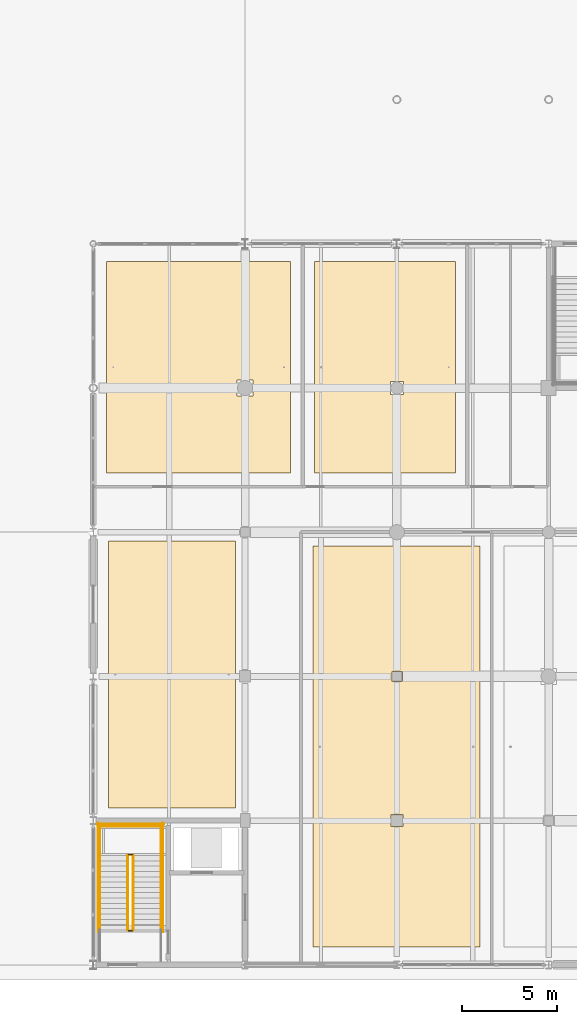
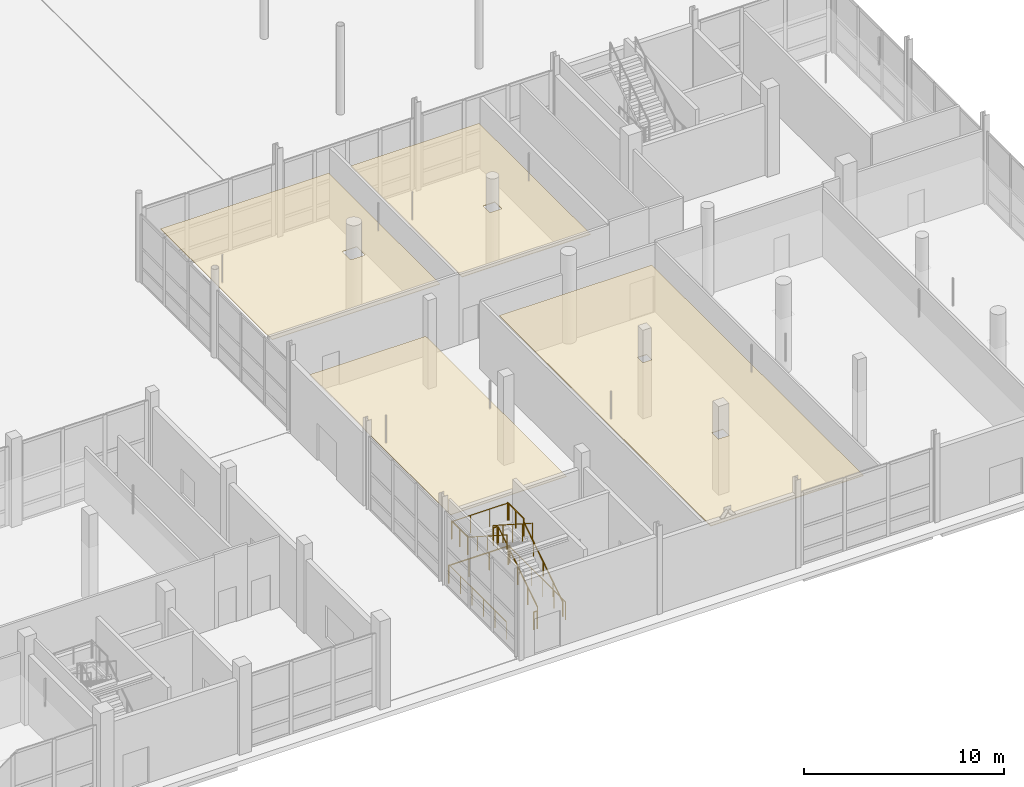
# One storey, part 121 of 126: 12 railings, 4 coverings.
"""IFC4 building model written with IfcOpenShell, lengths in metres."""

import ifcopenshell
import ifcopenshell.guid

model = None  # the IFC model being written
_history = None  # IfcOwnerHistory: only IFC2X3 demands one
_inside = {}  # id of a spatial element -> (the spatial element, [elements in it])
_under = {}  # id of a project, library or spatial element -> (it, [spatial elements below it])
_declared = {}  # id of a project -> (the project, [libraries it declares])
_typed = {}  # id of a type object -> (the type object, [elements of that type])
_made_of = {}  # id of a material, layer set ... -> (it, [elements and type objects made of it])


def new_model(schema):
    """Start an empty IFC model of exactly this schema.

    Asked for "IFC4X3", IfcOpenShell would pick the latest addendum, in which some entities
    have other attributes; the version numbers below select the first issue.
    IFC2X3 requires an IfcOwnerHistory on every rooted entity: one is made here for all.
    """
    global model, _history
    if schema == "IFC4X3":
        model = ifcopenshell.file(schema_version=(4, 3, 0, 0))
    else:
        model = ifcopenshell.file(schema=schema)
    _inside.clear()
    _under.clear()
    _declared.clear()
    _typed.clear()
    _made_of.clear()
    _history = None
    if model.schema == "IFC2X3":
        org = make("IfcOrganization", Name="unknown")
        user = make(
            "IfcPersonAndOrganization",
            ThePerson=make("IfcPerson", FamilyName="unknown"),
            TheOrganization=org,
        )
        app = make(
            "IfcApplication",
            ApplicationDeveloper=org,
            Version="unknown",
            ApplicationFullName="unknown",
            ApplicationIdentifier="unknown",
        )
        _history = make(
            "IfcOwnerHistory",
            OwningUser=user,
            OwningApplication=app,
            ChangeAction="ADDED",
            CreationDate=0,
        )
    return model


def make(cls, **values):
    """One entity of the class cls with the attributes given. An attribute that is None is left unset."""
    return model.create_entity(
        cls, **{name: value for name, value in values.items() if value is not None}
    )


def rooted(cls, **values):
    """An entity with a GlobalId (a new one), such as an element, a storey or a relation."""
    return make(cls, GlobalId=ifcopenshell.guid.new(), OwnerHistory=_history, **values)


def si_unit(unit_type, name, prefix=None):
    """IfcSIUnit, for example si_unit("LENGTHUNIT", "METRE", prefix="MILLI")."""
    return make("IfcSIUnit", UnitType=unit_type, Prefix=prefix, Name=name)


def assignment(units):
    """IfcUnitAssignment: the units of a project."""
    return None if units is None else make("IfcUnitAssignment", Units=units)


def point(xyz):
    """IfcCartesianPoint."""
    return None if xyz is None else make("IfcCartesianPoint", Coordinates=xyz)


def direction(xyz):
    """IfcDirection."""
    return None if xyz is None else make("IfcDirection", DirectionRatios=xyz)


def frame(location, z_axis=None, x_axis=None):
    """IfcAxis2Placement3D, a coordinate frame: its origin and axes. An axis left out is left unset."""
    return make(
        "IfcAxis2Placement3D",
        Location=point(location),
        Axis=direction(z_axis),
        RefDirection=direction(x_axis),
    )


def frame_2d(location, x_axis=None):
    """IfcAxis2Placement2D, a coordinate frame in the plane: its origin and x axis."""
    return make(
        "IfcAxis2Placement2D", Location=point(location), RefDirection=direction(x_axis)
    )


def origin():
    """The frame at (0, 0, 0) with its axes left unset."""
    return frame((0.0, 0.0, 0.0))


def origin_2d():
    """The frame at (0, 0) in the plane with its x axis left unset."""
    return frame_2d((0.0, 0.0))


def place(relative_to, where):
    """IfcLocalPlacement: puts the frame where relative to a parent placement (None: the world)."""
    return make(
        "IfcLocalPlacement", PlacementRelTo=relative_to, RelativePlacement=where
    )


def context(
    kind, dimensions, precision=None, world=None, true_north=None, identifier=None
):
    """IfcGeometricRepresentationContext, for example the 3D "Model" context."""
    return make(
        "IfcGeometricRepresentationContext",
        ContextIdentifier=identifier,
        ContextType=kind,
        CoordinateSpaceDimension=dimensions,
        Precision=precision,
        WorldCoordinateSystem=world,
        TrueNorth=true_north,
    )


def subcontext(parent, identifier, kind, view, scale=None):
    """IfcGeometricRepresentationSubContext, for example "Body" below "Model"."""
    return make(
        "IfcGeometricRepresentationSubContext",
        ContextIdentifier=identifier,
        ContextType=kind,
        ParentContext=parent,
        TargetScale=scale,
        TargetView=view,
    )


def project(units=None, contexts=None):
    """IfcProject with its units and contexts."""
    return rooted(
        "IfcProject",
        Name="project",
        RepresentationContexts=contexts,
        UnitsInContext=assignment(units),
    )


def spatial(cls, under=None, at=None, **own):
    """A site, building, storey or space (cls), placed at a placement, below another one or the project."""
    s = rooted(cls, ObjectPlacement=at, **own)
    if under is not None:
        _under.setdefault(under.id(), (under, []))[1].append(s)
    return s


def polyline(points):
    """IfcPolyline through the points."""
    return make("IfcPolyline", Points=[point(p) for p in points])


def profile(cls, at=None, kind="AREA", **sizes):
    """A parametric profile (cls). Its sizes go by their IFC names, for example OverallWidth=200.0."""
    return make(cls, ProfileType=kind, Position=at, **sizes)


def circle(**sizes):
    """IfcCircleProfileDef."""
    return profile("IfcCircleProfileDef", **sizes)


def outline(outer, holes=None, kind="AREA"):
    """IfcArbitraryClosedProfileDef: a profile drawn as a closed curve; with holes, ...WithVoids."""
    if holes is None:
        return make("IfcArbitraryClosedProfileDef", ProfileType=kind, OuterCurve=outer)
    return make(
        "IfcArbitraryProfileDefWithVoids",
        ProfileType=kind,
        OuterCurve=outer,
        InnerCurves=holes,
    )


def extrude(swept, where, along, depth):
    """IfcExtrudedAreaSolid: the profile swept, set in the frame where, extruded along a direction by depth."""
    return make(
        "IfcExtrudedAreaSolid",
        SweptArea=swept,
        Position=where,
        ExtrudedDirection=direction(along),
        Depth=depth,
    )


def shape(context_of_items, identifier, shape_type, items):
    """IfcShapeRepresentation: the items that make up one representation, for example the "Body"."""
    return make(
        "IfcShapeRepresentation",
        ContextOfItems=context_of_items,
        RepresentationIdentifier=identifier,
        RepresentationType=shape_type,
        Items=items,
    )


def material(Name=None, Category=None):
    """IfcMaterial."""
    return make("IfcMaterial", Name=Name, Category=Category)


def layer(
    of_material, thickness, ventilated=None, Name=None, Category=None, Priority=None
):
    """IfcMaterialLayer: one layer of a wall or slab, of a material (None: an air gap)."""
    return make(
        "IfcMaterialLayer",
        Material=of_material,
        LayerThickness=thickness,
        IsVentilated=ventilated,
        Name=Name,
        Category=Category,
        Priority=Priority,
    )


def layer_set(layers, Name=None):
    """IfcMaterialLayerSet."""
    return make("IfcMaterialLayerSet", MaterialLayers=layers, LayerSetName=Name)


def made_of(thing, what):
    """Note that an element or type object is made of a material, layer set ...; save() writes the relation."""
    if what is not None:
        _made_of.setdefault(what.id(), (what, []))[1].append(thing)
    return thing


def type_object(cls, material=None, **own):
    """A type object (cls), such as IfcWallType, which elements share."""
    return made_of(rooted(cls, **own), material)


def element(
    cls,
    number,
    at=None,
    inside=None,
    cuts=None,
    type_object=None,
    material=None,
    context=None,
    identifier="Body",
    shape_type=None,
    held_by="IfcProductDefinitionShape",
    body=None,
    shapes=None,
    **own,
):
    """One element of the class cls, such as IfcWall. Its Tag is "e" and its number.

    at: its placement. inside: the storey or other place that contains it. cuts: it is an
    opening in that element (IfcRelVoidsElement). A single representation is given by context,
    identifier, shape_type and body (its items); several are given by shapes. held_by: the class
    of the entity that holds the representations. save() writes the other relations.
    """
    e = rooted(cls, Tag="e%d" % number, ObjectPlacement=at, **own)
    if body is not None:
        shapes = [shape(context, identifier, shape_type, body)]
    if shapes is not None:
        e.Representation = make(held_by, Representations=shapes)
    if inside is not None:
        _inside.setdefault(inside.id(), (inside, []))[1].append(e)
    if cuts is not None:
        rooted(
            "IfcRelVoidsElement", RelatingBuildingElement=cuts, RelatedOpeningElement=e
        )
    if type_object is not None:
        _typed.setdefault(type_object.id(), (type_object, []))[1].append(e)
    return made_of(e, material)


def aggregate(whole, parts):
    """IfcRelAggregates: a whole, such as a stair, and the parts it consists of."""
    return rooted("IfcRelAggregates", RelatingObject=whole, RelatedObjects=parts)


def save(model, path):
    """Write the relations noted so far, then the file.

    IfcRelAggregates (storeys below a building ...), IfcRelContainedInSpatialStructure (elements
    in a storey), IfcRelDefinesByType, IfcRelAssociatesMaterial and IfcRelDeclares: one each for
    every whole, place, type object, material and project.
    """
    for whole, parts in _under.values():
        aggregate(whole, parts)
    for where, things in _inside.values():
        rooted(
            "IfcRelContainedInSpatialStructure",
            RelatedElements=things,
            RelatingStructure=where,
        )
    for kind, things in _typed.values():
        rooted("IfcRelDefinesByType", RelatedObjects=things, RelatingType=kind)
    for what, things in _made_of.values():
        rooted("IfcRelAssociatesMaterial", RelatedObjects=things, RelatingMaterial=what)
    for by, libraries in _declared.values():
        rooted("IfcRelDeclares", RelatingContext=by, RelatedDefinitions=libraries)
    model.write(path)


model = new_model("IFC4")

# Units and contexts
model_context = context("Model", 3, precision=1e-05, world=origin(), true_north=direction((0.0, 1.0)))
body_context = subcontext(model_context, "Body", "Model", "MODEL_VIEW")
ifc_project = project(units=[si_unit("LENGTHUNIT", "METRE"), si_unit("AREAUNIT", "SQUARE_METRE"), si_unit("VOLUMEUNIT", "CUBIC_METRE"), si_unit("PLANEANGLEUNIT", "RADIAN"), si_unit("MASSUNIT", "GRAM", prefix="KILO")], contexts=[model_context])

# Site, building, storey
site_placement = place(None, origin())
site = spatial("IfcSite", under=ifc_project, at=site_placement, CompositionType="ELEMENT")
building_placement = place(site_placement, origin())
building = spatial("IfcBuilding", under=site, at=building_placement, Name="Khelvaren Railside Concert Hall", CompositionType="ELEMENT")
storey_placement = place(building_placement, origin())
storey = spatial("IfcBuildingStorey", under=building, at=storey_placement, Name="L00", CompositionType="ELEMENT", Elevation=0.0)

# Coverings
ifc_material_1 = material(Name="Mineral-wool acoustic baffle ceiling", Category="gypsum")
ifc_layer_1 = layer(ifc_material_1, 0.0400390625)
ifc_layer_set_1 = layer_set([ifc_layer_1], Name="Mineral-wool acoustic baffle ceiling")
covering_type_1 = type_object("IfcCoveringType", Name="CLG20", PredefinedType="CEILING", material=ifc_layer_set_1)
covering_1_placement = place(storey_placement, frame((0.0, 0.0, 3.409912109375)))
element("IfcCovering", 1, at=covering_1_placement, inside=storey, type_object=covering_type_1, Name="Suspended Acoustic Ceiling Percussion Rehearsal Studio", PredefinedType="CEILING", context=body_context, shape_type="SweptSolid", body=[
    extrude(outline(polyline([(155.580078125, 0.929931640625), (164.37890625, 0.929931640625), (164.37890625, 22.070068359375), (155.580078125, 22.070068359375), (155.580078125, 0.929931640625)]), holes=[polyline([(159.68505859375, 7.284912109375), (160.31494140625, 7.284912109375), (160.31494140625, 7.9150390625), (159.68505859375, 7.9150390625), (159.68505859375, 7.284912109375)]), polyline([(159.735107421875, 14.93505859375), (160.264892578125, 14.93505859375), (160.264892578125, 15.465087890625), (159.735107421875, 15.465087890625), (159.735107421875, 14.93505859375)])]), origin(), (0.0, 0.0, 1.0), 0.0400390625),
])
covering_2_placement = place(storey_placement, frame((0.0, 0.0, 3.409912109375)))
element("IfcCovering", 2, at=covering_2_placement, inside=storey, type_object=covering_type_1, Name="Suspended Acoustic Ceiling Acoustic Editing Room L00", PredefinedType="CEILING", context=body_context, shape_type="SweptSolid", body=[
    extrude(outline(polyline([(155.6630859375, 25.929931640625), (163.0830078125, 25.929931640625), (163.0830078125, 37.070068359375), (155.6630859375, 37.070068359375), (155.6630859375, 25.929931640625)]), holes=[polyline([(159.659912109375, 30.06005859375), (160.340087890625, 30.06005859375), (160.340087890625, 30.739990234375), (159.659912109375, 30.739990234375), (159.659912109375, 30.06005859375)])]), origin(), (0.0, 0.0, 1.0), 0.0400390625),
])
ifc_material_2 = material(Name="Micro-perforated timber acoustic ceiling", Category="wood")
ifc_layer_2 = layer(ifc_material_2, 0.030029296875)
ifc_layer_set_2 = layer_set([ifc_layer_2], Name="Micro-perforated timber acoustic ceiling")
covering_type_2 = type_object("IfcCoveringType", Name="CLG77", PredefinedType="CEILING", material=ifc_layer_set_2)
covering_3_placement = place(storey_placement, frame((0.0, 0.0, 3.419921875)))
element("IfcCovering", 3, at=covering_3_placement, inside=storey, type_object=covering_type_2, Name="Suspended Acoustic Ceiling V2 L00 West Bridge Foyer", PredefinedType="CEILING", context=body_context, shape_type="SweptSolid", body=[
    extrude(outline(polyline([(144.800048828125, 8.27001953125), (151.5, 8.27001953125), (151.5, 22.35009765625), (144.800048828125, 22.35009765625), (144.800048828125, 8.27001953125)])), origin(), (0.0, 0.0, 1.0), 0.030029296875),
])
covering_4_placement = place(storey_placement, frame((0.0, 0.0, 3.419921875)))
element("IfcCovering", 4, at=covering_4_placement, inside=storey, type_object=covering_type_2, Name="Suspended Acoustic Ceiling Chamber Recording Studio L00", PredefinedType="CEILING", context=body_context, shape_type="SweptSolid", body=[
    extrude(outline(polyline([(144.7099609375, 25.929931640625), (154.403076171875, 25.929931640625), (154.403076171875, 37.070068359375), (144.7099609375, 37.070068359375), (144.7099609375, 25.929931640625)]), holes=[polyline([(151.5849609375, 29.985107421875), (152.4150390625, 29.985107421875), (152.4150390625, 30.81494140625), (151.5849609375, 30.81494140625), (151.5849609375, 29.985107421875)])]), origin(), (0.0, 0.0, 1.0), 0.030029296875),
])

# Railings
ifc_material_3 = material(Name="Painted architectural steel", Category="steel")
railing_type_1 = type_object("IfcRailingType", Name="GRD86", PredefinedType="GUARDRAIL", material=ifc_material_3)
railing_1_placement = place(storey_placement, frame((146.110107421875, 1.840087890625, 0.179931640625)))
element("IfcRailing", 5, at=railing_1_placement, inside=storey, type_object=railing_type_1, Name="L00 ST-03 stair guard 1", PredefinedType="GUARDRAIL", context=body_context, shape_type="SweptSolid", body=[
    extrude(circle(Radius=0.02392578125, at=origin_2d()), frame((0.0, 0.0, 1.076171875), z_axis=(0.0, 0.841171666519, 0.540768182723), x_axis=(-1.0, 0.0, 0.0)), (0.0, 0.0, 1.0), 4.66015625),
    extrude(circle(Radius=0.02099609375, at=origin_2d()), origin(), (0.0, 0.0, 1.0), 1.052001953125),
    extrude(circle(Radius=0.02099609375, at=origin_2d()), frame((0.0, 0.97998046875, 0.6298828125)), (0.0, 0.0, 1.0), 1.052001953125),
    extrude(circle(Radius=0.02099609375, at=origin_2d()), frame((0.0, 1.9599609375, 1.260009765625)), (0.0, 0.0, 1.0), 1.052001953125),
    extrude(circle(Radius=0.02099609375, at=origin_2d()), frame((0.0, 2.93994140625, 1.89013671875)), (0.0, 0.0, 1.0), 1.052001953125),
    extrude(circle(Radius=0.02099609375, at=origin_2d()), frame((0.0, 3.919921875, 2.52001953125)), (0.0, 0.0, 1.0), 1.052001953125),
])
railing_2_placement = place(storey_placement, frame((146.06005859375, 5.81005859375, 2.699951171875)))
element("IfcRailing", 6, at=railing_2_placement, inside=storey, type_object=railing_type_1, Name="L00 ST-03 stair guard 2", PredefinedType="GUARDRAIL", context=body_context, shape_type="SweptSolid", body=[
    extrude(circle(Radius=0.02392578125, at=origin_2d()), frame((0.0, 0.0, 1.076171875), z_axis=(-1.0, 0.0, 0.0), x_axis=(0.0, -1.0, 0.0)), (0.0, 0.0, 1.0), 0.199951171875),
    extrude(circle(Radius=0.02099609375, at=origin_2d()), origin(), (0.0, 0.0, 1.0), 1.052001953125),
    extrude(circle(Radius=0.02099609375, at=origin_2d()), frame((-0.199951171875, 0.0, 0.0)), (0.0, 0.0, 1.0), 1.052001953125),
])
for number, where, name in (
    (7, (147.570068359375, 5.760009765625, 2.699951171875), "L00 ST-03 stair guard 3"),
    (8, (144.35009765625, 5.760009765625, 2.699951171875), "L00 ST-03 stair guard 4"),
):
    element("IfcRailing", number, at=place(storey_placement, frame(where)), inside=storey, type_object=railing_type_1, Name=name, PredefinedType="GUARDRAIL", context=body_context, shape_type="SweptSolid", body=[
        extrude(circle(Radius=0.02392578125, at=origin_2d()), frame((0.0, 0.0, 1.076171875), z_axis=(0.0, 1.0, 0.0), x_axis=(-1.0, 0.0, 0.0)), (0.0, 0.0, 1.0), 1.60009765625),
        extrude(circle(Radius=0.02099609375, at=origin_2d()), origin(), (0.0, 0.0, 1.0), 1.052001953125),
        extrude(circle(Radius=0.02099609375, at=origin_2d()), frame((0.0, 0.800048828125, 0.0)), (0.0, 0.0, 1.0), 1.052001953125),
        extrude(circle(Radius=0.02099609375, at=origin_2d()), frame((0.0, 1.60009765625, 0.0)), (0.0, 0.0, 1.0), 1.052001953125),
    ])
railing_3_placement = place(storey_placement, frame((147.6201171875, 7.31005859375, 2.699951171875)))
element("IfcRailing", 9, at=railing_3_placement, inside=storey, type_object=railing_type_1, Name="L00 ST-03 stair guard 5", PredefinedType="GUARDRAIL", context=body_context, shape_type="SweptSolid", body=[
    extrude(circle(Radius=0.02392578125, at=origin_2d()), frame((0.0, 0.0, 1.076171875), z_axis=(-1.0, 0.0, 0.0), x_axis=(0.0, -1.0, 0.0)), (0.0, 0.0, 1.0), 3.320068359375),
    extrude(circle(Radius=0.02099609375, at=origin_2d()), origin(), (0.0, 0.0, 1.0), 1.052001953125),
    extrude(circle(Radius=0.02099609375, at=origin_2d()), frame((-1.106689453125, 0.0, 0.0)), (0.0, 0.0, 1.0), 1.052001953125),
    extrude(circle(Radius=0.02099609375, at=origin_2d()), frame((-2.21337890625, 0.0, 0.0)), (0.0, 0.0, 1.0), 1.052001953125),
    extrude(circle(Radius=0.02099609375, at=origin_2d()), frame((-3.320068359375, 0.0, 0.0)), (0.0, 0.0, 1.0), 1.052001953125),
])
railing_4_placement = place(storey_placement, frame((145.81005859375, 5.760009765625, 2.8798828125)))
element("IfcRailing", 10, at=railing_4_placement, inside=storey, type_object=railing_type_1, Name="L00 ST-03 stair guard 6", PredefinedType="GUARDRAIL", context=body_context, shape_type="SweptSolid", body=[
    extrude(circle(Radius=0.02392578125, at=origin_2d()), frame((0.0, 0.0, 1.076171875), z_axis=(0.0, -0.841171666519, 0.540768182723), x_axis=(1.0, 0.0, 0.0)), (0.0, 0.0, 1.0), 4.66015625),
    extrude(circle(Radius=0.02099609375, at=origin_2d()), origin(), (0.0, 0.0, 1.0), 1.052001953125),
    extrude(circle(Radius=0.02099609375, at=origin_2d()), frame((0.0, -0.97998046875, 0.6298828125)), (0.0, 0.0, 1.0), 1.052001953125),
    extrude(circle(Radius=0.02099609375, at=origin_2d()), frame((0.0, -1.9599609375, 1.260009765625)), (0.0, 0.0, 1.0), 1.052001953125),
    extrude(circle(Radius=0.02099609375, at=origin_2d()), frame((0.0, -2.93994140625, 1.89013671875)), (0.0, 0.0, 1.0), 1.052001953125),
    extrude(circle(Radius=0.02099609375, at=origin_2d()), frame((0.0, -3.919921875, 2.52001953125)), (0.0, 0.0, 1.0), 1.052001953125),
])
railing_5_placement = place(storey_placement, frame((146.06005859375, 1.7900390625, 0.0)))
element("IfcRailing", 11, at=railing_5_placement, inside=storey, type_object=railing_type_1, Name="L00 ST-03 stair guard 7", PredefinedType="GUARDRAIL", context=body_context, shape_type="SweptSolid", body=[
    extrude(circle(Radius=0.02392578125, at=origin_2d()), frame((0.0, 0.0, 1.076171875), z_axis=(-1.0, 0.0, 0.0), x_axis=(0.0, -1.0, 0.0)), (0.0, 0.0, 1.0), 0.199951171875),
    extrude(circle(Radius=0.02099609375, at=origin_2d()), origin(), (0.0, 0.0, 1.0), 1.052001953125),
    extrude(circle(Radius=0.02099609375, at=origin_2d()), frame((-0.199951171875, 0.0, 0.0)), (0.0, 0.0, 1.0), 1.052001953125),
])
for number, where, name in (
    (12, (147.669921875, 1.739990234375, 0.0), "L00 ST-03 stair guard 10"),
    (13, (144.25, 1.739990234375, 0.0), "L00 ST-03 stair guard 11"),
):
    element("IfcRailing", number, at=place(storey_placement, frame(where)), inside=storey, type_object=railing_type_1, Name=name, PredefinedType="GUARDRAIL", context=body_context, shape_type="SweptSolid", body=[
        extrude(circle(Radius=0.02392578125, at=origin_2d()), frame((0.0, 0.0, 1.076171875), z_axis=(0.0, 1.0, 0.0), x_axis=(-1.0, 0.0, 0.0)), (0.0, 0.0, 1.0), 5.719970703125),
        extrude(circle(Radius=0.02099609375, at=origin_2d()), origin(), (0.0, 0.0, 1.0), 1.052001953125),
        extrude(circle(Radius=0.02099609375, at=origin_2d()), frame((0.0, 1.14404296875, 0.0)), (0.0, 0.0, 1.0), 1.052001953125),
        extrude(circle(Radius=0.02099609375, at=origin_2d()), frame((0.0, 2.2880859375, 0.0)), (0.0, 0.0, 1.0), 1.052001953125),
        extrude(circle(Radius=0.02099609375, at=origin_2d()), frame((0.0, 3.431884765625, 0.0)), (0.0, 0.0, 1.0), 1.052001953125),
        extrude(circle(Radius=0.02099609375, at=origin_2d()), frame((0.0, 4.575927734375, 0.0)), (0.0, 0.0, 1.0), 1.052001953125),
        extrude(circle(Radius=0.02099609375, at=origin_2d()), frame((0.0, 5.719970703125, 0.0)), (0.0, 0.0, 1.0), 1.052001953125),
    ])
railing_6_placement = place(storey_placement, frame((147.719970703125, 7.409912109375, 0.0)))
element("IfcRailing", 14, at=railing_6_placement, inside=storey, type_object=railing_type_1, Name="L00 ST-03 stair guard 12", PredefinedType="GUARDRAIL", context=body_context, shape_type="SweptSolid", body=[
    extrude(circle(Radius=0.02392578125, at=origin_2d()), frame((0.0, 0.0, 1.076171875), z_axis=(-1.0, 0.0, 0.0), x_axis=(0.0, -1.0, 0.0)), (0.0, 0.0, 1.0), 3.52001953125),
    extrude(circle(Radius=0.02099609375, at=origin_2d()), origin(), (0.0, 0.0, 1.0), 1.052001953125),
    extrude(circle(Radius=0.02099609375, at=origin_2d()), frame((-1.17333984375, 0.0, 0.0)), (0.0, 0.0, 1.0), 1.052001953125),
    extrude(circle(Radius=0.02099609375, at=origin_2d()), frame((-2.3466796875, 0.0, 0.0)), (0.0, 0.0, 1.0), 1.052001953125),
    extrude(circle(Radius=0.02099609375, at=origin_2d()), frame((-3.52001953125, 0.0, 0.0)), (0.0, 0.0, 1.0), 1.052001953125),
])
ifc_material_4 = material(Name="Brushed stainless steel Grade 316", Category="steel")
railing_type_2 = type_object("IfcRailingType", Name="HRL59", PredefinedType="HANDRAIL", material=ifc_material_4)
railing_7_placement = place(storey_placement, frame((147.570068359375, 1.840087890625, 0.179931640625)))
element("IfcRailing", 15, at=railing_7_placement, inside=storey, type_object=railing_type_2, Name="L00 ST-03 stair handrail 1", PredefinedType="HANDRAIL", context=body_context, shape_type="SweptSolid", body=[
    extrude(circle(Radius=0.02392578125, at=origin_2d()), frame((0.0, 0.0, 0.8759765625), z_axis=(0.0, 0.841171666519, 0.540768182723), x_axis=(-1.0, 0.0, 0.0)), (0.0, 0.0, 1.0), 4.66015625),
    extrude(circle(Radius=0.02099609375, at=origin_2d()), origin(), (0.0, 0.0, 1.0), 0.851806640625),
    extrude(circle(Radius=0.02099609375, at=origin_2d()), frame((0.0, 0.97998046875, 0.6298828125)), (0.0, 0.0, 1.0), 0.851806640625),
    extrude(circle(Radius=0.02099609375, at=origin_2d()), frame((0.0, 1.9599609375, 1.260009765625)), (0.0, 0.0, 1.0), 0.851806640625),
    extrude(circle(Radius=0.02099609375, at=origin_2d()), frame((0.0, 2.93994140625, 1.89013671875)), (0.0, 0.0, 1.0), 0.851806640625),
    extrude(circle(Radius=0.02099609375, at=origin_2d()), frame((0.0, 3.919921875, 2.52001953125)), (0.0, 0.0, 1.0), 0.851806640625),
])
railing_8_placement = place(storey_placement, frame((144.35009765625, 5.760009765625, 2.8798828125)))
element("IfcRailing", 16, at=railing_8_placement, inside=storey, type_object=railing_type_2, Name="L00 ST-03 stair handrail 2", PredefinedType="HANDRAIL", context=body_context, shape_type="SweptSolid", body=[
    extrude(circle(Radius=0.02392578125, at=origin_2d()), frame((0.0, 0.0, 0.8759765625), z_axis=(0.0, -0.841171666519, 0.540768182723), x_axis=(1.0, 0.0, 0.0)), (0.0, 0.0, 1.0), 4.66015625),
    extrude(circle(Radius=0.02099609375, at=origin_2d()), origin(), (0.0, 0.0, 1.0), 0.851806640625),
    extrude(circle(Radius=0.02099609375, at=origin_2d()), frame((0.0, -0.97998046875, 0.6298828125)), (0.0, 0.0, 1.0), 0.851806640625),
    extrude(circle(Radius=0.02099609375, at=origin_2d()), frame((0.0, -1.9599609375, 1.260009765625)), (0.0, 0.0, 1.0), 0.851806640625),
    extrude(circle(Radius=0.02099609375, at=origin_2d()), frame((0.0, -2.93994140625, 1.89013671875)), (0.0, 0.0, 1.0), 0.851806640625),
    extrude(circle(Radius=0.02099609375, at=origin_2d()), frame((0.0, -3.919921875, 2.52001953125)), (0.0, 0.0, 1.0), 0.851806640625),
])

save(model, "model.ifc")
